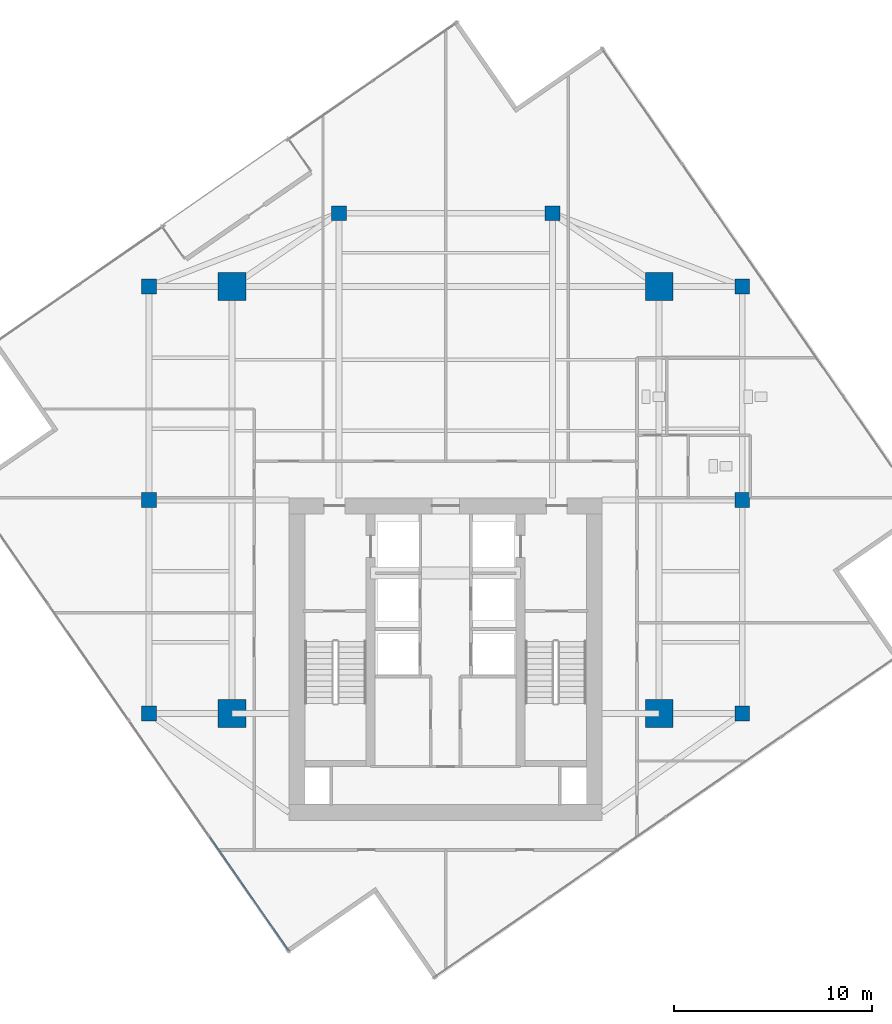
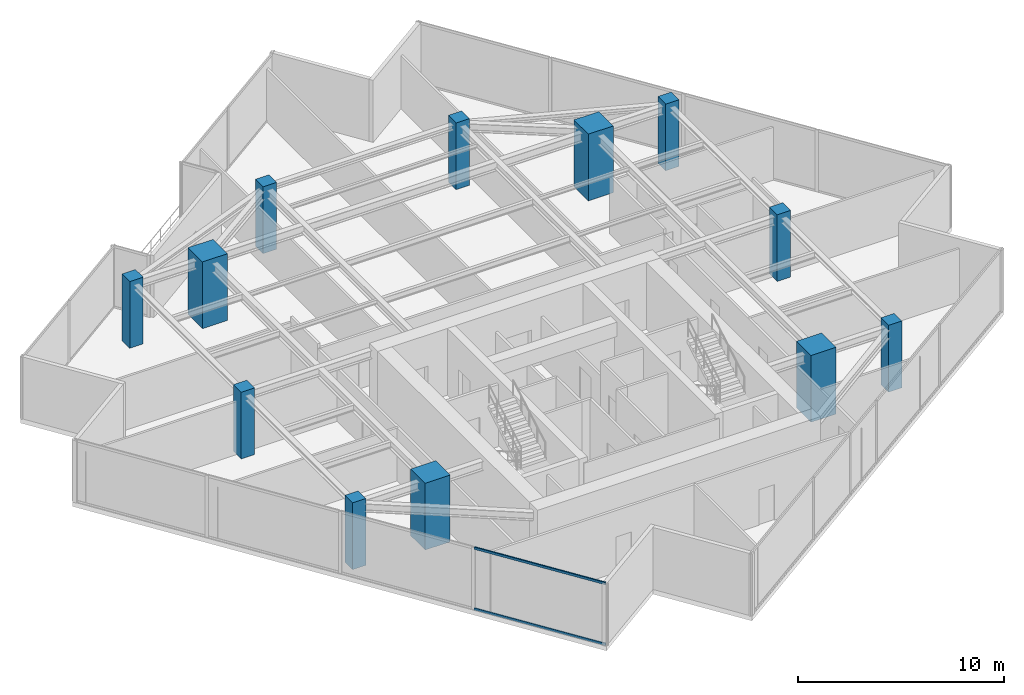
# One storey, part 1 of 21: 12 columns, 2 members, 1 element without a shape of its own.
"""IFC4 building model written with IfcOpenShell, lengths in metres."""

from ifc_helpers import new_model, si_unit, direction, frame, origin, origin_2d, place, context, subcontext, project, spatial, rectangle, hollow_rectangle, extrude, source, transform, mapped, material, material_profile, profile_set, type_object, type_shapes, element, aggregate, save


model = new_model("IFC4")

# Units and contexts
model_context = context("Model", 3, precision=1e-05, world=origin(), true_north=direction((0.0, 1.0)))
body_context = subcontext(model_context, "Body", "Model", "MODEL_VIEW")
ifc_project = project(units=[si_unit("LENGTHUNIT", "METRE"), si_unit("AREAUNIT", "SQUARE_METRE"), si_unit("VOLUMEUNIT", "CUBIC_METRE"), si_unit("PLANEANGLEUNIT", "RADIAN"), si_unit("MASSUNIT", "GRAM", prefix="KILO")], contexts=[model_context])

# Site, building, storey
site_placement = place(None, origin())
site = spatial("IfcSite", under=ifc_project, at=site_placement, CompositionType="ELEMENT")
building_placement = place(site_placement, origin())
building = spatial("IfcBuilding", under=site, at=building_placement, Name="Krantzveldt Concourse Tower", CompositionType="ELEMENT")
storey_placement = place(building_placement, frame((0.0, 0.0, 279.25)))
storey = spatial("IfcBuildingStorey", under=building, at=storey_placement, Name="L68", CompositionType="ELEMENT", Elevation=279.25)

# Columns
ifc_material_1 = material(Name="Concrete C50/60", Category="concrete")
ifc_material_profile_1 = material_profile(ifc_material_1, rectangle(XDim=1.39990234375, YDim=1.39990234375, at=origin_2d()), Name="Concrete C50/60", Category="concrete")
ifc_profile_set_1 = profile_set([ifc_material_profile_1], Name="Concrete C50/60 - RC 1400x1400")
column_type_1 = type_object("IfcColumnType", Name="COL-MC-1400", PredefinedType="USERDEFINED", material=ifc_profile_set_1)
shared_shape_1 = source(origin(), body_context, "Body", "SweptSolid", [
    extrude(rectangle(XDim=1.39990234375, YDim=1.39990234375, at=origin_2d()), origin(), (0.0, 0.0, 1.0), 3.949951171875),
])
type_shapes(column_type_1, [shared_shape_1])
for number, where, z_axis, x_axis, name in (
    (1, (25.199951171875, 15.89990234375, 0.0), (0.0, 0.0, 1.0), (1.0, 0.0, 0.0), "MC-SW-L68"),
    (2, (46.800048828125, 15.89990234375, 0.0), (0.0, 0.0, 1.0), (1.0, 0.0, 0.0), "MC-SE-L68"),
    (3, (46.800048828125, 37.5, 0.0), (0.0, 0.0, 1.0), (1.0, 0.0, 0.0), "MC-NE-L68"),
    (4, (25.199951171875, 37.5, 0.0), (0.0, 0.0, 1.0), (1.0, 0.0, 0.0), "MC-NW-L68"),
):
    element("IfcColumn", number, at=place(storey_placement, frame(where, z_axis=z_axis, x_axis=x_axis)), inside=storey, type_object=column_type_1, Name=name, ObjectType="MEGA COLUMN", PredefinedType="USERDEFINED", context=body_context, shape_type="MappedRepresentation", body=[
        mapped(shared_shape_1, transform((0.0, 0.0, 0.0), x_axis=(1.0, 0.0, 0.0), y_axis=(0.0, 1.0, 0.0), z_axis=(0.0, 0.0, 1.0), scale=1.0)),
    ])
ifc_material_profile_2 = material_profile(ifc_material_1, rectangle(XDim=0.75, YDim=0.75, at=origin_2d()), Name="Concrete C50/60", Category="concrete")
ifc_profile_set_2 = profile_set([ifc_material_profile_2], Name="Concrete C50/60 - RC 750x750")
column_type_2 = type_object("IfcColumnType", Name="COL-C-Z5", PredefinedType="COLUMN", material=ifc_profile_set_2)
shared_shape_2 = source(origin(), body_context, "Body", "SweptSolid", [
    extrude(rectangle(XDim=0.75, YDim=0.75, at=origin_2d()), origin(), (0.0, 0.0, 1.0), 3.949951171875),
])
type_shapes(column_type_2, [shared_shape_2])
for number, where, z_axis, x_axis, name in (
    (5, (21.0, 15.89990234375, 0.0), (0.0, 0.0, 1.0), (1.0, 0.0, 0.0), "PC-R01-L68"),
    (6, (21.0, 26.699951171875, 0.0), (0.0, 0.0, 1.0), (1.0, 0.0, 0.0), "PC-R02-L68"),
    (7, (21.0, 37.5, 0.0), (0.0, 0.0, 1.0), (1.0, 0.0, 0.0), "PC-R03-L68"),
    (8, (30.60009765625, 41.199951171875, 0.0), (0.0, 0.0, 1.0), (1.0, 0.0, 0.0), "PC-R04-L68"),
    (9, (41.39990234375, 41.199951171875, 0.0), (0.0, 0.0, 1.0), (1.0, 0.0, 0.0), "PC-R05-L68"),
    (10, (51.0, 37.5, 0.0), (0.0, 0.0, 1.0), (1.0, 0.0, 0.0), "PC-R06-L68"),
    (11, (51.0, 26.699951171875, 0.0), (0.0, 0.0, 1.0), (1.0, 0.0, 0.0), "PC-R07-L68"),
    (12, (51.0, 15.89990234375, 0.0), (0.0, 0.0, 1.0), (1.0, 0.0, 0.0), "PC-R08-L68"),
):
    element("IfcColumn", number, at=place(storey_placement, frame(where, z_axis=z_axis, x_axis=x_axis)), inside=storey, type_object=column_type_2, Name=name, PredefinedType="COLUMN", context=body_context, shape_type="MappedRepresentation", body=[
        mapped(shared_shape_2, transform((0.0, 0.0, 0.0), x_axis=(1.0, 0.0, 0.0), y_axis=(0.0, 1.0, 0.0), z_axis=(0.0, 0.0, 1.0), scale=1.0)),
    ])

# Curtain wall, members
ifc_material_2 = material(Name="Anodised aluminium 6063-T6", Category="aluminium")
curtain_wall_type = type_object("IfcCurtainWallType", Name="CW4", PredefinedType="USERDEFINED", material=ifc_material_2)
curtain_wall_placement = place(storey_placement, origin())
curtain_wall = element("IfcCurtainWall", 13, at=curtain_wall_placement, inside=storey, type_object=curtain_wall_type, Name="CW-L68-F08", ObjectType="UNITISED CURTAIN WALL", PredefinedType="USERDEFINED")
ifc_material_profile_3 = material_profile(ifc_material_2, hollow_rectangle(XDim=0.070068359375, YDim=0.139892578125, WallThickness=0.0048828125, at=origin_2d()), Name="Anodised aluminium 6063-T6", Category="aluminium")
ifc_profile_set_3 = profile_set([ifc_material_profile_3], Name="Anodised aluminium 6063-T6 - ALU-TRAN 140x70x5")
member_type = type_object("IfcMemberType", Name="CW-TRN-150", PredefinedType="USERDEFINED", material=ifc_profile_set_3)
shared_shape_3 = source(origin(), body_context, "Body", "SweptSolid", [
    extrude(hollow_rectangle(XDim=0.070068359375, YDim=0.139892578125, WallThickness=0.0048828125, at=origin_2d()), origin(), (0.0, 0.0, 1.0), 7.045166015625),
])
type_shapes(member_type, [shared_shape_3])
member_1_placement = place(storey_placement, frame((24.065185546875, 9.67578125, 0.034912109375), z_axis=(0.569991796641, -0.821650382926, 0.0), x_axis=(0.821650382926, 0.569991796641, 0.0)))
member_1 = element("IfcMember", 14, at=member_1_placement, type_object=member_type, Name="CW-Z56 transom 4.1", ObjectType="TRANSOM", PredefinedType="USERDEFINED", context=body_context, shape_type="MappedRepresentation", body=[
    mapped(shared_shape_3, transform((0.0, 0.0, 0.0), x_axis=(1.0, 0.0, 0.0), y_axis=(0.0, 1.0, 0.0), z_axis=(0.0, 0.0, 1.0), scale=1.0)),
])
member_2_placement = place(storey_placement, frame((24.065185546875, 9.67578125, 3.635009765625), z_axis=(0.569991796641, -0.821650382926, 0.0), x_axis=(0.821650382926, 0.569991796641, 0.0)))
member_2 = element("IfcMember", 15, at=member_2_placement, type_object=member_type, Name="CW-Z56 transom 4.2", ObjectType="TRANSOM", PredefinedType="USERDEFINED", context=body_context, shape_type="MappedRepresentation", body=[
    mapped(shared_shape_3, transform((0.0, 0.0, 0.0), x_axis=(1.0, 0.0, 0.0), y_axis=(0.0, 1.0, 0.0), z_axis=(0.0, 0.0, 1.0), scale=1.0)),
])
aggregate(curtain_wall, [member_1, member_2])

save(model, "model.ifc")
